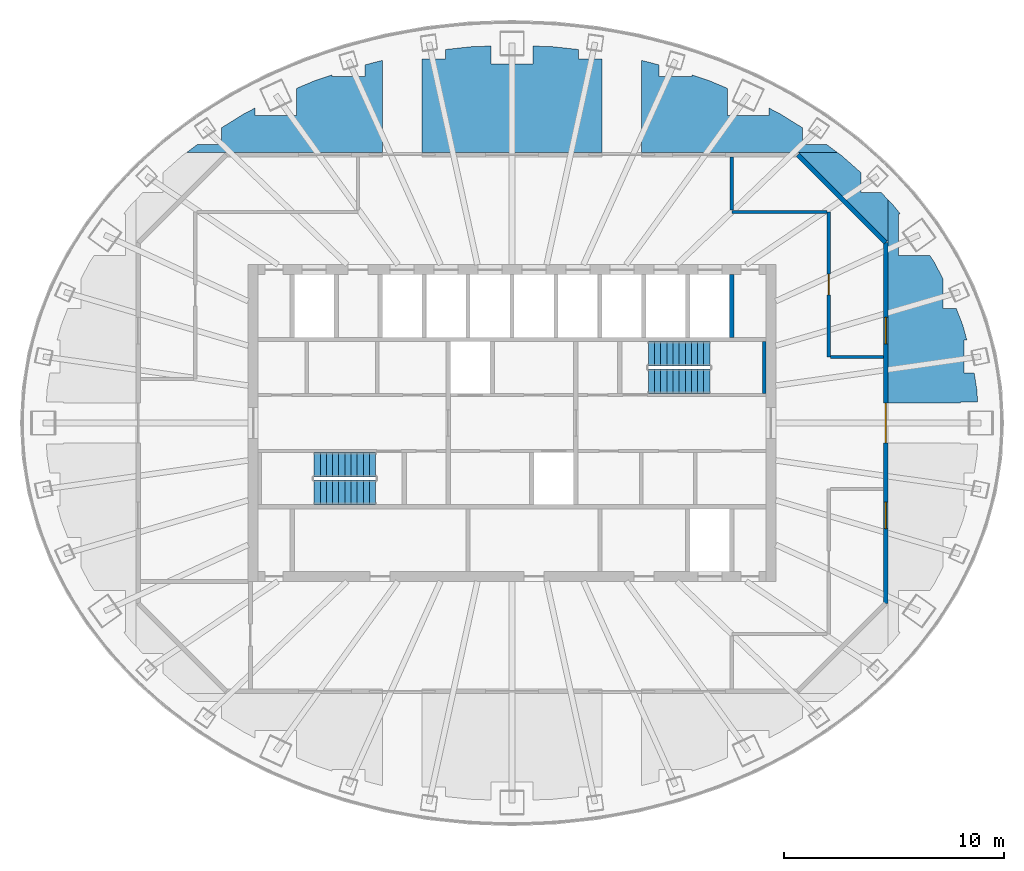
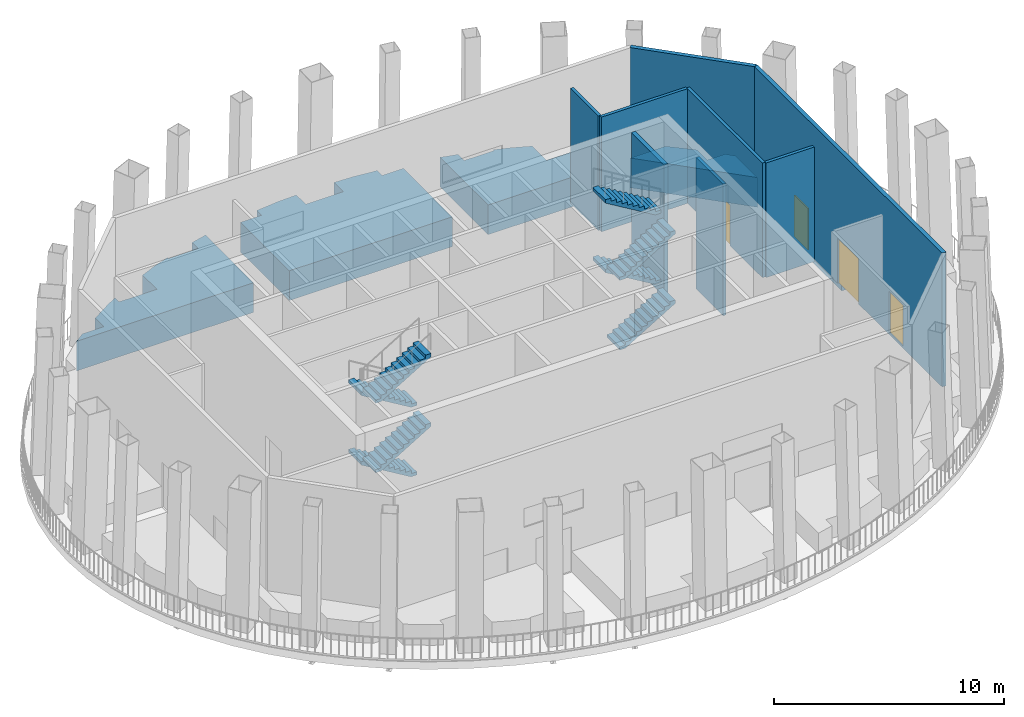
# One storey, part 6 of 12: 13 walls, 8 stair flights, 2 doors, 2 windows, 4 openings, 2 elements without a shape of their own.
"""IFC4 building model written with IfcOpenShell, lengths in metres."""

from ifc_helpers import new_model, si_unit, direction, frame, frame_2d, origin, place, context, subcontext, project, spatial, polyline, rectangle, outline, extrude, material, layer, layer_set, type_object, element, fill, aggregate, save


model = new_model("IFC4")

# Units and contexts
model_context = context("Model", 3, precision=1e-05, world=origin(), true_north=direction((0.0, 1.0)))
body_context = subcontext(model_context, "Body", "Model", "MODEL_VIEW")
ifc_project = project(units=[si_unit("LENGTHUNIT", "METRE"), si_unit("AREAUNIT", "SQUARE_METRE"), si_unit("VOLUMEUNIT", "CUBIC_METRE"), si_unit("PLANEANGLEUNIT", "RADIAN"), si_unit("MASSUNIT", "GRAM", prefix="KILO")], contexts=[model_context])

# Site, building, storey
site_placement = place(None, origin())
site = spatial("IfcSite", under=ifc_project, at=site_placement, CompositionType="ELEMENT")
building_placement = place(site_placement, origin())
building = spatial("IfcBuilding", under=site, at=building_placement, Name="Siaravel Broadcast Tower", CompositionType="ELEMENT")
storey_placement = place(building_placement, frame((0.0, 0.0, 205.199951171875)))
storey = spatial("IfcBuildingStorey", under=building, at=storey_placement, Name="L50", CompositionType="ELEMENT", Elevation=205.199951171875)

# Wall, opening, door
ifc_material_1 = material(Name="Gypsum board partition", Category="gypsum")
ifc_layer_1 = layer(ifc_material_1, 0.14990234375)
ifc_layer_set_1 = layer_set([ifc_layer_1], Name="Gypsum board partition")
wall_type_1 = type_object("IfcWallType", Name="Corridor wall 150", PredefinedType="PARTITIONING", material=ifc_layer_set_1)
wall_1_placement = place(storey_placement, frame((14.39990234375, 9.60009765625, 0.0), z_axis=(0.0, 0.0, 1.0), x_axis=(0.0, -1.0, 0.0)))
wall_1 = element("IfcWall", 1, at=wall_1_placement, inside=storey, type_object=wall_type_1, Name="L50 partition 4", PredefinedType="PARTITIONING", context=body_context, shape_type="SweptSolid", body=[
    extrude(rectangle(XDim=6.60009765625, YDim=0.14990234375, at=frame_2d((3.300048828125, 0.0))), origin(), (0.0, 0.0, 1.0), 6.10009765625),
])
opening_1_placement = place(wall_1_placement, frame((2.824951171875, 0.0, 0.0)))
opening_1 = element("IfcOpeningElement", 2, at=opening_1_placement, cuts=wall_1, Name="Opening L50-002", PredefinedType="OPENING", context=body_context, shape_type="SweptSolid", body=[
    extrude(rectangle(XDim=0.949951171875, YDim=2.14990234375, at=frame_2d((0.47509765625, 1.074951171875))), frame((0.0, 0.0849609375, 0.0), z_axis=(0.0, -1.0, 0.0), x_axis=(1.0, 0.0, 0.0)), (0.0, 0.0, 1.0), 0.169921875),
])
ifc_material_2 = material(Name="Timber veneer", Category="wood")
door_type_1 = type_object("IfcDoorType", Name="Office door 950", OperationType="SINGLE_SWING_LEFT", PredefinedType="DOOR", material=ifc_material_2)
door_1_placement = place(opening_1_placement, origin())
door_1 = element("IfcDoor", 3, at=door_1_placement, inside=storey, type_object=door_type_1, Name="L50 door to Presenter studio", OperationType="SINGLE_SWING_RIGHT", OverallHeight=2.14990234375, OverallWidth=0.949951171875, PredefinedType="DOOR", context=body_context, shape_type="SweptSolid", body=[
    extrude(rectangle(XDim=0.949951171875, YDim=2.14990234375, at=frame_2d((0.47509765625, 1.074951171875))), frame((0.0, 0.02490234375, 0.0), z_axis=(0.0, -1.0, 0.0), x_axis=(1.0, 0.0, 0.0)), (0.0, 0.0, 1.0), 0.050048828125),
])
fill(opening_1, door_1)

# Walls
wall_2_placement = place(storey_placement, frame((10.0, 9.60009765625, 0.0), z_axis=(0.0, 0.0, 1.0), x_axis=(1.0, 0.0, 0.0)))
element("IfcWall", 4, at=wall_2_placement, inside=storey, type_object=wall_type_1, Name="L50 partition 7", PredefinedType="PARTITIONING", context=body_context, shape_type="SweptSolid", body=[
    extrude(rectangle(XDim=4.322998046875, YDim=0.14990234375, at=frame_2d((2.16162109375, 0.0))), origin(), (0.0, 0.0, 1.0), 6.10009765625),
])
wall_3_placement = place(storey_placement, frame((10.0, 12.10009765625, 0.0), z_axis=(0.0, 0.0, 1.0), x_axis=(0.0, -1.0, 0.0)))
element("IfcWall", 5, at=wall_3_placement, inside=storey, type_object=wall_type_1, Name="L50 partition 11", PredefinedType="PARTITIONING", context=body_context, shape_type="SweptSolid", body=[
    extrude(rectangle(XDim=2.423095703125, YDim=0.14990234375, at=frame_2d((1.21142578125, 0.0))), origin(), (0.0, 0.0, 1.0), 6.10009765625),
])
wall_4_placement = place(storey_placement, frame((14.47705078125, 3.0, 0.0), z_axis=(0.0, 0.0, 1.0), x_axis=(1.0, 0.0, 0.0)))
element("IfcWall", 6, at=wall_4_placement, inside=storey, type_object=wall_type_1, Name="L50 partition 13", PredefinedType="PARTITIONING", context=body_context, shape_type="SweptSolid", body=[
    extrude(rectangle(XDim=2.4228515625, YDim=0.14990234375, at=frame_2d((1.21142578125, 0.0))), origin(), (0.0, 0.0, 1.0), 6.10009765625),
])
ifc_material_3 = material(Name="Concrete C40/50", Category="concrete")
ifc_layer_2 = layer(ifc_material_3, 1.0)
ifc_layer_set_2 = layer_set([ifc_layer_2], Name="Concrete C40/50")
wall_type_2 = type_object("IfcWallType", Name="Garden planter box", PredefinedType="ELEMENTEDWALL", material=ifc_layer_set_2)
wall_5_placement = place(storey_placement, frame((0.0, 0.0, -0.39990234375)))
element("IfcWall", 7, at=wall_5_placement, inside=storey, type_object=wall_type_2, Name="L50 garden planting bed 09", PredefinedType="ELEMENTEDWALL", context=body_context, shape_type="SweptSolid", body=[
    extrude(outline(polyline([(17.10009765625, 10.15625), (17.10009765625, 8.241455078125), (17.10009765625, 0.89990234375), (20.39013671875, 0.89990234375), (20.39013671875, 0.949951171875), (21.1748046875, 0.949951171875), (21.145263671875, 1.497314453125), (21.01904296875, 2.2734375), (20.567138671875, 2.2734375), (20.567138671875, 3.7734375), (20.68701171875, 3.7734375), (20.502685546875, 4.446044921875), (20.20458984375, 5.2119140625), (19.605712890625, 5.2119140625), (19.605712890625, 6.5400390625), (19.2373046875, 7.260009765625), (19.014404296875, 7.606689453125), (17.584716796875, 7.606689453125), (17.584716796875, 9.5068359375), (17.66015625, 9.5068359375), (17.387451171875, 9.853271484375), (17.10009765625, 10.15625)])), origin(), (0.0, 0.0, 1.0), 1.579833984375),
])
wall_6_placement = place(storey_placement, frame((0.0, 0.0, -0.39990234375)))
element("IfcWall", 8, at=wall_6_placement, inside=storey, type_object=wall_type_2, Name="L50 garden planting bed 11", PredefinedType="ELEMENTEDWALL", context=body_context, shape_type="SweptSolid", body=[
    extrude(outline(polyline([(14.802978515625, 12.300048828125), (13.04150390625, 12.300048828125), (17.10009765625, 8.241455078125), (17.10009765625, 10.15625), (16.78125, 10.49267578125), (15.88134765625, 10.49267578125), (15.88134765625, 11.376708984375), (15.009033203125, 12.147216796875), (14.802978515625, 12.300048828125)])), origin(), (0.0, 0.0, 1.0), 1.579833984375),
])
wall_7_placement = place(storey_placement, frame((0.0, 0.0, -0.39990234375)))
element("IfcWall", 9, at=wall_7_placement, inside=storey, type_object=wall_type_2, Name="L50 garden planting bed 12", PredefinedType="ELEMENTEDWALL", context=body_context, shape_type="SweptSolid", body=[
    extrude(outline(polyline([(-14.802978515625, 12.300048828125), (-13.04150390625, 12.300048828125), (-5.89990234375, 12.300048828125), (-5.89990234375, 16.489501953125), (-6.6962890625, 16.286376953125), (-6.6962890625, 15.755859375), (-8.1962890625, 15.755859375), (-8.1962890625, 15.82861328125), (-8.970458984375, 15.569091796875), (-9.7998046875, 15.2197265625), (-9.7998046875, 13.97412109375), (-11.69970703125, 13.97412109375), (-11.69970703125, 14.31689453125), (-12.1748046875, 14.072021484375), (-13.22119140625, 13.422119140625), (-13.22119140625, 12.67138671875), (-14.30224609375, 12.67138671875), (-14.802978515625, 12.300048828125)])), origin(), (0.0, 0.0, 1.0), 1.579833984375),
])
wall_8_placement = place(storey_placement, frame((0.0, 0.0, -0.39990234375)))
element("IfcWall", 10, at=wall_8_placement, inside=storey, type_object=wall_type_2, Name="L50 garden planting bed 13", PredefinedType="ELEMENTEDWALL", context=body_context, shape_type="SweptSolid", body=[
    extrude(outline(polyline([(8.970458984375, 15.569091796875), (8.1962890625, 15.82861328125), (8.1962890625, 15.755859375), (6.6962890625, 15.755859375), (6.6962890625, 16.286376953125), (5.89990234375, 16.489501953125), (5.89990234375, 12.300048828125), (13.04150390625, 12.300048828125), (14.802978515625, 12.300048828125), (14.30224609375, 12.67138671875), (13.22119140625, 12.67138671875), (13.22119140625, 13.422119140625), (12.1748046875, 14.072021484375), (11.69970703125, 14.31689453125), (11.69970703125, 13.97412109375), (9.7998046875, 13.97412109375), (9.7998046875, 15.2197265625), (8.970458984375, 15.569091796875)])), origin(), (0.0, 0.0, 1.0), 1.579833984375),
])
wall_9_placement = place(storey_placement, frame((0.0, 0.0, -0.39990234375)))
element("IfcWall", 11, at=wall_9_placement, inside=storey, type_object=wall_type_2, Name="L50 garden planting bed 14", PredefinedType="ELEMENTEDWALL", context=body_context, shape_type="SweptSolid", body=[
    extrude(outline(polyline([(-1.85009765625, 17.11328125), (-3.0322265625, 16.9873046875), (-3.0322265625, 16.56005859375), (-4.10009765625, 16.56005859375), (-4.10009765625, 12.300048828125), (4.10009765625, 12.300048828125), (4.10009765625, 16.56005859375), (3.0322265625, 16.56005859375), (3.0322265625, 16.9873046875), (1.85009765625, 17.11328125), (0.949951171875, 17.14501953125), (0.949951171875, 16.3310546875), (-0.949951171875, 16.3310546875), (-0.949951171875, 17.14501953125), (-1.85009765625, 17.11328125)])), origin(), (0.0, 0.0, 1.0), 1.579833984375),
])
ifc_material_4 = material(Name="Concrete C60/75", Category="concrete")
ifc_layer_3 = layer(ifc_material_4, 0.14990234375)
ifc_layer_set_3 = layer_set([ifc_layer_3], Name="Concrete C60/75")
wall_type_3 = type_object("IfcWallType", Name="Shaft wall 150", PredefinedType="SHEAR", material=ifc_layer_set_3)
wall_10_placement = place(storey_placement, frame((11.47509765625, 1.35009765625, 0.0), z_axis=(0.0, 0.0, 1.0), x_axis=(0.0, 1.0, 0.0)))
element("IfcWall", 12, at=wall_10_placement, inside=storey, type_object=wall_type_3, Name="L50 core wall ST2E", PredefinedType="SHEAR", context=body_context, shape_type="SweptSolid", body=[
    extrude(rectangle(XDim=2.349853515625, YDim=0.14990234375, at=frame_2d((1.1748046875, 0.0))), origin(), (0.0, 0.0, 1.0), 7.0),
])
ifc_layer_4 = layer(ifc_material_4, 0.199951171875)
ifc_layer_set_4 = layer_set([ifc_layer_4], Name="Concrete C60/75")
wall_type_4 = type_object("IfcWallType", Name="Shaft wall 200", PredefinedType="SHEAR", material=ifc_layer_set_4)
wall_11_placement = place(storey_placement, frame((10.0, 3.89990234375, 0.0), z_axis=(0.0, 0.0, 1.0), x_axis=(0.0, 1.0, 0.0)))
element("IfcWall", 13, at=wall_11_placement, inside=storey, type_object=wall_type_4, Name="L50 core wall SWN10", PredefinedType="SHEAR", context=body_context, shape_type="SweptSolid", body=[
    extrude(rectangle(XDim=2.85009765625, YDim=0.199951171875, at=frame_2d((1.425048828125, 0.0))), origin(), (0.0, 0.0, 1.0), 7.0),
])
ifc_layer_5 = layer(ifc_material_3, 0.199951171875)
ifc_layer_set_5 = layer_set([ifc_layer_5], Name="Concrete C40/50")
wall_type_5 = type_object("IfcWallType", Name="Sky lobby enclosure wall", PredefinedType="STANDARD", material=ifc_layer_set_5)
wall_12_placement = place(storey_placement, frame((13.0, 12.199951171875, 0.080078125), z_axis=(0.0, 0.0, 1.0), x_axis=(0.707106781, -0.707106781, 0.0)))
element("IfcWall", 14, at=wall_12_placement, inside=storey, type_object=wall_type_5, Name="L50 sky lobby enclosure wall NE", PredefinedType="STANDARD", context=body_context, shape_type="SweptSolid", body=[
    extrude(rectangle(XDim=5.65673828125, YDim=0.199951171875, at=frame_2d((2.828369140625, 0.0))), origin(), (0.0, 0.0, 1.0), 7.119873046875),
])

# Wall, openings, door, windows
wall_13_placement = place(storey_placement, frame((17.0, 8.199951171875, 0.080078125), z_axis=(0.0, 0.0, 1.0), x_axis=(0.0, -1.0, 0.0)))
wall_13 = element("IfcWall", 15, at=wall_13_placement, inside=storey, type_object=wall_type_5, Name="L50 sky lobby enclosure wall E", PredefinedType="STANDARD", context=body_context, shape_type="SweptSolid", body=[
    extrude(rectangle(XDim=16.39990234375, YDim=0.199951171875, at=frame_2d((8.199951171875, 0.0))), origin(), (0.0, 0.0, 1.0), 7.119873046875),
])
opening_2_placement = place(wall_13_placement, frame((7.300048828125, 0.0, 0.0)))
opening_2 = element("IfcOpeningElement", 16, at=opening_2_placement, cuts=wall_13, Name="Opening L50-GDN-E1", PredefinedType="OPENING", context=body_context, shape_type="SweptSolid", body=[
    extrude(rectangle(XDim=1.800048828125, YDim=2.39990234375, at=frame_2d((0.89990234375, 1.199951171875))), frame((0.0, 0.10986328125, 0.0), z_axis=(0.0, -1.0, 0.0), x_axis=(1.0, 0.0, 0.0)), (0.0, 0.0, 1.0), 0.219970703125),
])
opening_3_placement = place(wall_13_placement, frame((3.39990234375, 0.0, 0.10009765625)))
opening_3 = element("IfcOpeningElement", 17, at=opening_3_placement, cuts=wall_13, Name="Opening WX-2", PredefinedType="OPENING", context=body_context, shape_type="SweptSolid", body=[
    extrude(rectangle(XDim=1.199951171875, YDim=2.199951171875, at=frame_2d((0.60009765625, 1.10009765625))), frame((0.0, 0.10986328125, 0.0), z_axis=(0.0, -1.0, 0.0), x_axis=(1.0, 0.0, 0.0)), (0.0, 0.0, 1.0), 0.219970703125),
])
opening_4_placement = place(wall_13_placement, frame((11.800048828125, 0.0, 0.10009765625)))
opening_4 = element("IfcOpeningElement", 18, at=opening_4_placement, cuts=wall_13, Name="Opening WX-2", PredefinedType="OPENING", context=body_context, shape_type="SweptSolid", body=[
    extrude(rectangle(XDim=1.199951171875, YDim=2.199951171875, at=frame_2d((0.60009765625, 1.10009765625))), frame((0.0, 0.10986328125, 0.0), z_axis=(0.0, -1.0, 0.0), x_axis=(1.0, 0.0, 0.0)), (0.0, 0.0, 1.0), 0.219970703125),
])
ifc_material_5 = material(Name="Aluminium 6063-T6", Category="aluminium")
door_type_2 = type_object("IfcDoorType", Name="Garden door", OperationType="DOUBLE_DOOR_SINGLE_SWING", PredefinedType="DOOR", material=ifc_material_5)
door_2_placement = place(opening_2_placement, origin())
door_2 = element("IfcDoor", 19, at=door_2_placement, inside=storey, type_object=door_type_2, Name="L50 garden door E1", OperationType="DOUBLE_DOOR_SINGLE_SWING", OverallHeight=2.39990234375, OverallWidth=1.800048828125, PredefinedType="DOOR", context=body_context, shape_type="SweptSolid", body=[
    extrude(rectangle(XDim=1.800048828125, YDim=2.39990234375, at=frame_2d((0.89990234375, 1.199951171875))), frame((0.0, 0.02490234375, 0.0), z_axis=(0.0, -1.0, 0.0), x_axis=(1.0, 0.0, 0.0)), (0.0, 0.0, 1.0), 0.050048828125),
])
fill(opening_2, door_2)
window_type = type_object("IfcWindowType", Name="Sky lobby tall window 1200x2200", PartitioningType="SINGLE_PANEL", PredefinedType="WINDOW", material=ifc_material_5)
window_1_placement = place(opening_3_placement, origin())
window_1 = element("IfcWindow", 20, at=window_1_placement, inside=storey, type_object=window_type, Name="L50 sky lobby tall window E1", OverallHeight=2.199951171875, OverallWidth=1.199951171875, PartitioningType="SINGLE_PANEL", PredefinedType="WINDOW", context=body_context, shape_type="SweptSolid", body=[
    extrude(rectangle(XDim=1.199951171875, YDim=2.199951171875, at=frame_2d((0.60009765625, 1.10009765625))), frame((0.0, 0.030029296875, 0.0), z_axis=(0.0, -1.0, 0.0), x_axis=(1.0, 0.0, 0.0)), (0.0, 0.0, 1.0), 0.06005859375),
])
fill(opening_3, window_1)
window_2_placement = place(opening_4_placement, origin())
window_2 = element("IfcWindow", 21, at=window_2_placement, inside=storey, type_object=window_type, Name="L50 sky lobby tall window E2", OverallHeight=2.199951171875, OverallWidth=1.199951171875, PartitioningType="SINGLE_PANEL", PredefinedType="WINDOW", context=body_context, shape_type="SweptSolid", body=[
    extrude(rectangle(XDim=1.199951171875, YDim=2.199951171875, at=frame_2d((0.60009765625, 1.10009765625))), frame((0.0, 0.030029296875, 0.0), z_axis=(0.0, -1.0, 0.0), x_axis=(1.0, 0.0, 0.0)), (0.0, 0.0, 1.0), 0.06005859375),
])
fill(opening_4, window_2)

# Stair, stair flights
stair_type = type_object("IfcStairType", Name="Core exit stair", PredefinedType="HALF_TURN_STAIR", material=ifc_material_3)
stair_1_placement = place(storey_placement, origin())
stair_1 = element("IfcStair", 22, at=stair_1_placement, inside=storey, type_object=stair_type, Name="L50 Exit stair ST-1", PredefinedType="HALF_TURN_STAIR")
stair_flight_type = type_object("IfcStairFlightType", Name="Stair flight 1100", PredefinedType="STRAIGHT", material=ifc_material_3)
stair_flight_1_placement = place(storey_placement, frame((-6.199951171875, -1.89990234375, 0.0), z_axis=(0.0, 0.0, 1.0), x_axis=(-1.0, 0.0, 0.0)))
stair_flight_1 = element("IfcStairFlight", 23, at=stair_flight_1_placement, type_object=stair_flight_type, Name="ST-1 flight 1", NumberOfRisers=11, NumberOfTreads=10, PredefinedType="STRAIGHT", RiserHeight=0.1681818, TreadLength=0.28, context=body_context, shape_type="SweptSolid", body=[
    extrude(outline(polyline([(0.0, 0.0), (0.0, 0.168212890625), (0.280029296875, 0.168212890625), (0.280029296875, 0.33642578125), (0.56005859375, 0.33642578125), (0.56005859375, 0.504638671875), (0.840087890625, 0.504638671875), (0.840087890625, 0.672607421875), (1.1201171875, 0.672607421875), (1.1201171875, 0.8408203125), (1.39990234375, 0.8408203125), (1.39990234375, 1.009033203125), (1.679931640625, 1.009033203125), (1.679931640625, 1.17724609375), (1.9599609375, 1.17724609375), (1.9599609375, 1.345458984375), (2.239990234375, 1.345458984375), (2.239990234375, 1.513671875), (2.52001953125, 1.513671875), (2.52001953125, 1.681884765625), (2.800048828125, 1.681884765625), (2.800048828125, 1.85009765625), (2.800048828125, 1.5068359375), (0.291015625, 0.0), (0.0, 0.0)])), frame((0.0, 0.550048828125, 0.0), z_axis=(0.0, -1.0, 0.0), x_axis=(1.0, 0.0, 0.0)), (0.0, 0.0, 1.0), 1.10009765625),
])
stair_flight_2_placement = place(storey_placement, frame((-9.0, -3.14990234375, 1.85009765625), z_axis=(0.0, 0.0, 1.0), x_axis=(1.0, 0.0, 0.0)))
stair_flight_2 = element("IfcStairFlight", 24, at=stair_flight_2_placement, type_object=stair_flight_type, Name="ST-1 flight 2", NumberOfRisers=11, NumberOfTreads=10, PredefinedType="STRAIGHT", RiserHeight=0.1681818, TreadLength=0.28, context=body_context, shape_type="SweptSolid", body=[
    extrude(outline(polyline([(0.0, 0.0), (0.0, 0.168212890625), (0.280029296875, 0.168212890625), (0.280029296875, 0.33642578125), (0.56005859375, 0.33642578125), (0.56005859375, 0.504638671875), (0.840087890625, 0.504638671875), (0.840087890625, 0.672607421875), (1.1201171875, 0.672607421875), (1.1201171875, 0.8408203125), (1.39990234375, 0.8408203125), (1.39990234375, 1.009033203125), (1.679931640625, 1.009033203125), (1.679931640625, 1.17724609375), (1.9599609375, 1.17724609375), (1.9599609375, 1.345458984375), (2.239990234375, 1.345458984375), (2.239990234375, 1.513671875), (2.52001953125, 1.513671875), (2.52001953125, 1.681884765625), (2.800048828125, 1.681884765625), (2.800048828125, 1.85009765625), (2.800048828125, 1.5068359375), (0.291015625, 0.0), (0.0, 0.0)])), frame((0.0, 0.550048828125, 0.0), z_axis=(0.0, -1.0, 0.0), x_axis=(1.0, 0.0, 0.0)), (0.0, 0.0, 1.0), 1.10009765625),
])
stair_flight_3_placement = place(storey_placement, frame((-6.199951171875, -1.89990234375, 3.699951171875), z_axis=(0.0, 0.0, 1.0), x_axis=(-1.0, 0.0, 0.0)))
stair_flight_3 = element("IfcStairFlight", 25, at=stair_flight_3_placement, type_object=stair_flight_type, Name="ST-1 flight 3", NumberOfRisers=11, NumberOfTreads=10, PredefinedType="STRAIGHT", RiserHeight=0.1681818, TreadLength=0.28, context=body_context, shape_type="SweptSolid", body=[
    extrude(outline(polyline([(0.0, 0.0), (0.0, 0.168212890625), (0.280029296875, 0.168212890625), (0.280029296875, 0.33642578125), (0.56005859375, 0.33642578125), (0.56005859375, 0.504638671875), (0.840087890625, 0.504638671875), (0.840087890625, 0.672607421875), (1.1201171875, 0.672607421875), (1.1201171875, 0.8408203125), (1.39990234375, 0.8408203125), (1.39990234375, 1.009033203125), (1.679931640625, 1.009033203125), (1.679931640625, 1.17724609375), (1.9599609375, 1.17724609375), (1.9599609375, 1.345458984375), (2.239990234375, 1.345458984375), (2.239990234375, 1.513671875), (2.52001953125, 1.513671875), (2.52001953125, 1.681884765625), (2.800048828125, 1.681884765625), (2.800048828125, 1.85009765625), (2.800048828125, 1.5068359375), (0.291015625, 0.0), (0.0, 0.0)])), frame((0.0, 0.550048828125, 0.0), z_axis=(0.0, -1.0, 0.0), x_axis=(1.0, 0.0, 0.0)), (0.0, 0.0, 1.0), 1.10009765625),
])
stair_flight_4_placement = place(storey_placement, frame((-9.0, -3.14990234375, 5.550048828125), z_axis=(0.0, 0.0, 1.0), x_axis=(1.0, 0.0, 0.0)))
stair_flight_4 = element("IfcStairFlight", 26, at=stair_flight_4_placement, type_object=stair_flight_type, Name="ST-1 flight 4", NumberOfRisers=11, NumberOfTreads=10, PredefinedType="STRAIGHT", RiserHeight=0.1681818, TreadLength=0.28, context=body_context, shape_type="SweptSolid", body=[
    extrude(outline(polyline([(0.0, 0.0), (0.0, 0.168212890625), (0.280029296875, 0.168212890625), (0.280029296875, 0.33642578125), (0.56005859375, 0.33642578125), (0.56005859375, 0.504638671875), (0.840087890625, 0.504638671875), (0.840087890625, 0.672607421875), (1.1201171875, 0.672607421875), (1.1201171875, 0.8408203125), (1.39990234375, 0.8408203125), (1.39990234375, 1.009033203125), (1.679931640625, 1.009033203125), (1.679931640625, 1.17724609375), (1.9599609375, 1.17724609375), (1.9599609375, 1.345458984375), (2.239990234375, 1.345458984375), (2.239990234375, 1.513671875), (2.52001953125, 1.513671875), (2.52001953125, 1.681884765625), (2.800048828125, 1.681884765625), (2.800048828125, 1.85009765625), (2.800048828125, 1.5068359375), (0.291015625, 0.0), (0.0, 0.0)])), frame((0.0, 0.550048828125, 0.0), z_axis=(0.0, -1.0, 0.0), x_axis=(1.0, 0.0, 0.0)), (0.0, 0.0, 1.0), 1.10009765625),
])
aggregate(stair_1, [stair_flight_1, stair_flight_2, stair_flight_3, stair_flight_4])

stair_2_placement = place(storey_placement, origin())
stair_2 = element("IfcStair", 27, at=stair_2_placement, inside=storey, type_object=stair_type, Name="L50 Exit stair ST-2", PredefinedType="HALF_TURN_STAIR")
stair_flight_5_placement = place(storey_placement, frame((6.199951171875, 1.89990234375, 0.0), z_axis=(0.0, 0.0, 1.0), x_axis=(1.0, 0.0, 0.0)))
stair_flight_5 = element("IfcStairFlight", 28, at=stair_flight_5_placement, type_object=stair_flight_type, Name="ST-2 flight 1", NumberOfRisers=11, NumberOfTreads=10, PredefinedType="STRAIGHT", RiserHeight=0.1681818, TreadLength=0.28, context=body_context, shape_type="SweptSolid", body=[
    extrude(outline(polyline([(0.0, 0.0), (0.0, 0.168212890625), (0.280029296875, 0.168212890625), (0.280029296875, 0.33642578125), (0.56005859375, 0.33642578125), (0.56005859375, 0.504638671875), (0.840087890625, 0.504638671875), (0.840087890625, 0.672607421875), (1.1201171875, 0.672607421875), (1.1201171875, 0.8408203125), (1.39990234375, 0.8408203125), (1.39990234375, 1.009033203125), (1.679931640625, 1.009033203125), (1.679931640625, 1.17724609375), (1.9599609375, 1.17724609375), (1.9599609375, 1.345458984375), (2.239990234375, 1.345458984375), (2.239990234375, 1.513671875), (2.52001953125, 1.513671875), (2.52001953125, 1.681884765625), (2.800048828125, 1.681884765625), (2.800048828125, 1.85009765625), (2.800048828125, 1.5068359375), (0.291015625, 0.0), (0.0, 0.0)])), frame((0.0, 0.550048828125, 0.0), z_axis=(0.0, -1.0, 0.0), x_axis=(1.0, 0.0, 0.0)), (0.0, 0.0, 1.0), 1.10009765625),
])
stair_flight_6_placement = place(storey_placement, frame((9.0, 3.14990234375, 1.85009765625), z_axis=(0.0, 0.0, 1.0), x_axis=(-1.0, 0.0, 0.0)))
stair_flight_6 = element("IfcStairFlight", 29, at=stair_flight_6_placement, type_object=stair_flight_type, Name="ST-2 flight 2", NumberOfRisers=11, NumberOfTreads=10, PredefinedType="STRAIGHT", RiserHeight=0.1681818, TreadLength=0.28, context=body_context, shape_type="SweptSolid", body=[
    extrude(outline(polyline([(0.0, 0.0), (0.0, 0.168212890625), (0.280029296875, 0.168212890625), (0.280029296875, 0.33642578125), (0.56005859375, 0.33642578125), (0.56005859375, 0.504638671875), (0.840087890625, 0.504638671875), (0.840087890625, 0.672607421875), (1.1201171875, 0.672607421875), (1.1201171875, 0.8408203125), (1.39990234375, 0.8408203125), (1.39990234375, 1.009033203125), (1.679931640625, 1.009033203125), (1.679931640625, 1.17724609375), (1.9599609375, 1.17724609375), (1.9599609375, 1.345458984375), (2.239990234375, 1.345458984375), (2.239990234375, 1.513671875), (2.52001953125, 1.513671875), (2.52001953125, 1.681884765625), (2.800048828125, 1.681884765625), (2.800048828125, 1.85009765625), (2.800048828125, 1.5068359375), (0.291015625, 0.0), (0.0, 0.0)])), frame((0.0, 0.550048828125, 0.0), z_axis=(0.0, -1.0, 0.0), x_axis=(1.0, 0.0, 0.0)), (0.0, 0.0, 1.0), 1.10009765625),
])
stair_flight_7_placement = place(storey_placement, frame((6.199951171875, 1.89990234375, 3.699951171875), z_axis=(0.0, 0.0, 1.0), x_axis=(1.0, 0.0, 0.0)))
stair_flight_7 = element("IfcStairFlight", 30, at=stair_flight_7_placement, type_object=stair_flight_type, Name="ST-2 flight 3", NumberOfRisers=11, NumberOfTreads=10, PredefinedType="STRAIGHT", RiserHeight=0.1681818, TreadLength=0.28, context=body_context, shape_type="SweptSolid", body=[
    extrude(outline(polyline([(0.0, 0.0), (0.0, 0.168212890625), (0.280029296875, 0.168212890625), (0.280029296875, 0.33642578125), (0.56005859375, 0.33642578125), (0.56005859375, 0.504638671875), (0.840087890625, 0.504638671875), (0.840087890625, 0.672607421875), (1.1201171875, 0.672607421875), (1.1201171875, 0.8408203125), (1.39990234375, 0.8408203125), (1.39990234375, 1.009033203125), (1.679931640625, 1.009033203125), (1.679931640625, 1.17724609375), (1.9599609375, 1.17724609375), (1.9599609375, 1.345458984375), (2.239990234375, 1.345458984375), (2.239990234375, 1.513671875), (2.52001953125, 1.513671875), (2.52001953125, 1.681884765625), (2.800048828125, 1.681884765625), (2.800048828125, 1.85009765625), (2.800048828125, 1.5068359375), (0.291015625, 0.0), (0.0, 0.0)])), frame((0.0, 0.550048828125, 0.0), z_axis=(0.0, -1.0, 0.0), x_axis=(1.0, 0.0, 0.0)), (0.0, 0.0, 1.0), 1.10009765625),
])
stair_flight_8_placement = place(storey_placement, frame((9.0, 3.14990234375, 5.550048828125), z_axis=(0.0, 0.0, 1.0), x_axis=(-1.0, 0.0, 0.0)))
stair_flight_8 = element("IfcStairFlight", 31, at=stair_flight_8_placement, type_object=stair_flight_type, Name="ST-2 flight 4", NumberOfRisers=11, NumberOfTreads=10, PredefinedType="STRAIGHT", RiserHeight=0.1681818, TreadLength=0.28, context=body_context, shape_type="SweptSolid", body=[
    extrude(outline(polyline([(0.0, 0.0), (0.0, 0.168212890625), (0.280029296875, 0.168212890625), (0.280029296875, 0.33642578125), (0.56005859375, 0.33642578125), (0.56005859375, 0.504638671875), (0.840087890625, 0.504638671875), (0.840087890625, 0.672607421875), (1.1201171875, 0.672607421875), (1.1201171875, 0.8408203125), (1.39990234375, 0.8408203125), (1.39990234375, 1.009033203125), (1.679931640625, 1.009033203125), (1.679931640625, 1.17724609375), (1.9599609375, 1.17724609375), (1.9599609375, 1.345458984375), (2.239990234375, 1.345458984375), (2.239990234375, 1.513671875), (2.52001953125, 1.513671875), (2.52001953125, 1.681884765625), (2.800048828125, 1.681884765625), (2.800048828125, 1.85009765625), (2.800048828125, 1.5068359375), (0.291015625, 0.0), (0.0, 0.0)])), frame((0.0, 0.550048828125, 0.0), z_axis=(0.0, -1.0, 0.0), x_axis=(1.0, 0.0, 0.0)), (0.0, 0.0, 1.0), 1.10009765625),
])
aggregate(stair_2, [stair_flight_5, stair_flight_6, stair_flight_7, stair_flight_8])

save(model, "model.ifc")
